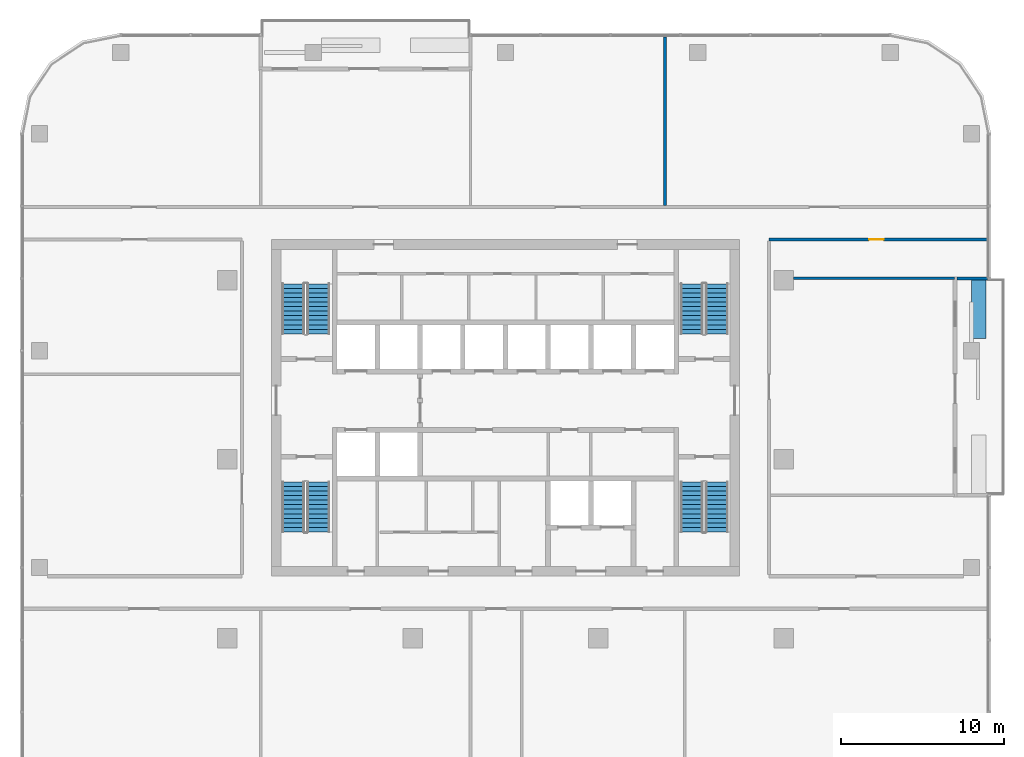
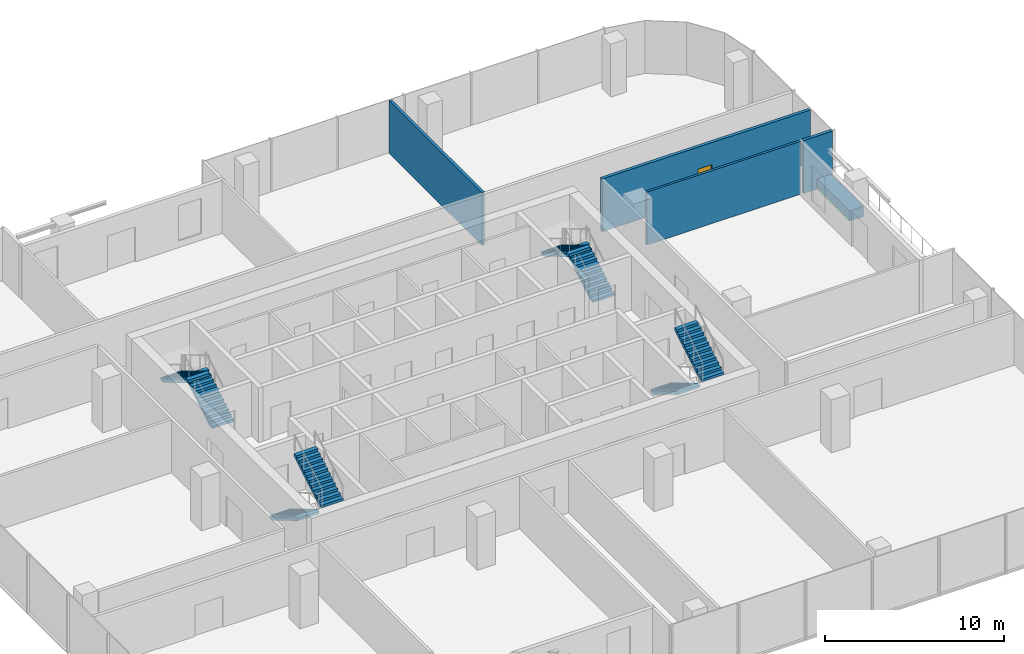
# One storey, part 10 of 13: 8 stair flights, 5 walls, 1 door, 1 opening, 4 elements without a shape of their own.
"""IFC4 building model written with IfcOpenShell, lengths in metres."""

from ifc_helpers import new_model, si_unit, direction, frame, frame_2d, origin, place, context, subcontext, project, spatial, polyline, rectangle, outline, extrude, material, layer, layer_set, type_object, element, fill, aggregate, save


model = new_model("IFC4")

# Units and contexts
model_context = context("Model", 3, precision=1e-05, world=origin(), true_north=direction((0.0, 1.0)))
body_context = subcontext(model_context, "Body", "Model", "MODEL_VIEW")
ifc_project = project(units=[si_unit("LENGTHUNIT", "METRE"), si_unit("AREAUNIT", "SQUARE_METRE"), si_unit("VOLUMEUNIT", "CUBIC_METRE"), si_unit("PLANEANGLEUNIT", "RADIAN"), si_unit("MASSUNIT", "GRAM", prefix="KILO")], contexts=[model_context])

# Site, building, storey
site_placement = place(None, origin())
site = spatial("IfcSite", under=ifc_project, at=site_placement, CompositionType="ELEMENT")
building_placement = place(site_placement, origin())
building = spatial("IfcBuilding", under=site, at=building_placement, Name="Mopane Tessera Tower", CompositionType="ELEMENT")
storey_placement = place(building_placement, frame((0.0, 0.0, 299.39990234375)))
storey = spatial("IfcBuildingStorey", under=building, at=storey_placement, Name="L65", CompositionType="ELEMENT", Elevation=299.39990234375)

# Wall
ifc_material_1 = material(Name="Gypsum board on staggered steel studs, double layer each face, acoustic mineral wool infill", Category="steel")
ifc_layer_1 = layer(ifc_material_1, 0.175048828125)
ifc_layer_set_1 = layer_set([ifc_layer_1], Name="Gypsum board on staggered steel studs, double layer each face, acoustic mineral wool infill")
wall_type_1 = type_object("IfcWallType", Name="Gypsum board acoustic partition 175, rated EI 60", PredefinedType="PARTITIONING", material=ifc_layer_set_1)
wall_1_placement = place(storey_placement, frame((9.800048828125, 15.60009765625, 0.0), z_axis=(0.0, 0.0, 1.0), x_axis=(0.0, 1.0, 0.0)))
element("IfcWall", 1, at=wall_1_placement, inside=storey, type_object=wall_type_1, Name="Partition L65:015", PredefinedType="PARTITIONING", context=body_context, shape_type="SweptSolid", body=[
    extrude(rectangle(XDim=10.349853515625, YDim=0.175048828125, at=frame_2d((5.1748046875, 0.0))), origin(), (0.0, 0.0, 1.0), 3.60009765625),
])

# Wall, opening, door
ifc_material_2 = material(Name="Gypsum board on steel studs, two layers each face, mineral wool infill", Category="steel")
ifc_layer_2 = layer(ifc_material_2, 0.199951171875)
ifc_layer_set_2 = layer_set([ifc_layer_2], Name="Gypsum board on steel studs, two layers each face, mineral wool infill")
wall_type_2 = type_object("IfcWallType", Name="Gypsum board corridor wall 200, rated EI 60", PredefinedType="PARTITIONING", material=ifc_layer_set_2)
wall_2_placement = place(storey_placement, frame((16.199951171875, 13.5, 0.0), z_axis=(0.0, 0.0, 1.0), x_axis=(1.0, 0.0, 0.0)))
wall_2 = element("IfcWall", 2, at=wall_2_placement, inside=storey, type_object=wall_type_2, Name="Partition L65:007", PredefinedType="PARTITIONING", context=body_context, shape_type="SweptSolid", body=[
    extrude(rectangle(XDim=13.400146484375, YDim=0.199951171875, at=frame_2d((6.7001953125, 0.0))), origin(), (0.0, 0.0, 1.0), 3.60009765625),
])
opening_placement = place(wall_2_placement, frame((6.14990234375, 0.0, 0.0)))
opening = element("IfcOpeningElement", 3, at=opening_placement, cuts=wall_2, Name="Opening L65-03", PredefinedType="OPENING", context=body_context, shape_type="SweptSolid", body=[
    extrude(rectangle(XDim=0.89990234375, YDim=2.10009765625, at=frame_2d((0.449951171875, 1.050048828125))), frame((0.0, 0.112060546875, 0.0), z_axis=(0.0, -1.0, 0.0), x_axis=(1.0, 0.0, 0.0)), (0.0, 0.0, 1.0), 0.223876953125),
])
ifc_material_3 = material(Name="Timber veneered steel-framed fire door", Category="steel")
door_type = type_object("IfcDoorType", Name="Fire door FD60 900 x 2100", OperationType="SINGLE_SWING_LEFT", PredefinedType="DOOR", material=ifc_material_3)
door_placement = place(opening_placement, origin())
door = element("IfcDoor", 4, at=door_placement, inside=storey, type_object=door_type, Name="Door L65-03", ObjectType="D10A", OperationType="SINGLE_SWING_LEFT", OverallHeight=2.10009765625, OverallWidth=0.89990234375, PredefinedType="DOOR", context=body_context, shape_type="SweptSolid", body=[
    extrude(rectangle(XDim=0.89990234375, YDim=2.10009765625, at=frame_2d((0.449951171875, 1.050048828125))), frame((0.0, 0.02490234375, 0.0), z_axis=(0.0, -1.0, 0.0), x_axis=(1.0, 0.0, 0.0)), (0.0, 0.0, 1.0), 0.050048828125),
])
fill(opening, door)

# Walls
ifc_material_4 = material(Name="Gypsum board on steel studs, mineral wool infill", Category="steel")
ifc_layer_3 = layer(ifc_material_4, 0.14990234375)
ifc_layer_set_3 = layer_set([ifc_layer_3], Name="Gypsum board on steel studs, mineral wool infill")
wall_type_3 = type_object("IfcWallType", Name="Gypsum board partition 150, rated EI 60", PredefinedType="PARTITIONING", material=ifc_layer_set_3)
wall_3_placement = place(storey_placement, frame((17.699951171875, 11.110107421875, 0.0), z_axis=(0.0, 0.0, 1.0), x_axis=(1.0, 0.0, 0.0)))
element("IfcWall", 5, at=wall_3_placement, inside=storey, type_object=wall_type_3, Name="Partition L65:005", PredefinedType="PARTITIONING", context=body_context, shape_type="SweptSolid", body=[
    extrude(rectangle(XDim=9.900146484375, YDim=0.14990234375, at=frame_2d((4.9501953125, 0.0))), origin(), (0.0, 0.0, 1.0), 3.60009765625),
])
ifc_material_5 = material(Name="Reinforced concrete C32/40 with waterproofing", Category="concrete")
ifc_layer_4 = layer(ifc_material_5, 0.89990234375)
ifc_layer_set_4 = layer_set([ifc_layer_4], Name="Reinforced concrete C32/40 with waterproofing")
wall_type_4 = type_object("IfcWallType", Name="Planter trough 3600 x 900", PredefinedType="STANDARD", material=ifc_layer_set_4)
wall_4_placement = place(storey_placement, frame((29.10009765625, 7.4111328125, 0.0), z_axis=(0.0, 0.0, 1.0), x_axis=(0.0, 1.0, 0.0)))
element("IfcWall", 6, at=wall_4_placement, inside=storey, type_object=wall_type_4, Name="e:nw:L65:N1:pl1", PredefinedType="STANDARD", context=body_context, shape_type="SweptSolid", body=[
    extrude(rectangle(XDim=3.60009765625, YDim=0.89990234375, at=frame_2d((1.800048828125, 0.0))), origin(), (0.0, 0.0, 1.0), 0.7001953125),
])
ifc_material_6 = material(Name="Blockwork with glazed tile facing", Category="masonry")
ifc_layer_5 = layer(ifc_material_6, 0.199951171875)
ifc_layer_set_5 = layer_set([ifc_layer_5], Name="Blockwork with glazed tile facing")
wall_type_5 = type_object("IfcWallType", Name="Terrace cheek wall 200", PredefinedType="STANDARD", material=ifc_layer_set_5)
wall_5_placement = place(storey_placement, frame((29.64990234375, 11.111083984375, 0.0), z_axis=(0.0, 0.0, 1.0), x_axis=(-1.0, 0.0, 0.0)))
element("IfcWall", 7, at=wall_5_placement, inside=storey, type_object=wall_type_5, Name="e:nw:L65:N1:cheekb", PredefinedType="STANDARD", context=body_context, shape_type="SweptSolid", body=[
    extrude(rectangle(XDim=1.875, YDim=0.199951171875, at=frame_2d((0.9375, 0.0))), origin(), (0.0, 0.0, 1.0), 3.60009765625),
])

# Stair, stair flights
ifc_material_7 = material(Name="Concrete C50/60", Category="concrete")
stair_type = type_object("IfcStairType", Name="Escape stair 1400 mm, riser 167 mm", PredefinedType="HALF_TURN_STAIR", material=ifc_material_7)
stair_1_placement = place(storey_placement, origin())
stair_1 = element("IfcStair", 8, at=stair_1_placement, inside=storey, type_object=stair_type, Name="L65 Escape stair south-west", PredefinedType="HALF_TURN_STAIR")
ifc_material_8 = material(Name="Concrete C50/60", Category="concrete")
stair_flight_type = type_object("IfcStairFlightType", Name="Escape stair flight 1400 mm", PredefinedType="STRAIGHT", material=ifc_material_8)
stair_flight_1_placement = place(storey_placement, frame((-13.050048828125, -1.39990234375, 0.0), z_axis=(0.0, 0.0, 1.0), x_axis=(0.0, -1.0, 0.0)))
stair_flight_1 = element("IfcStairFlight", 9, at=stair_flight_1_placement, type_object=stair_flight_type, Name="ST1 flight 1", NumberOfRisers=12, NumberOfTreads=11, PredefinedType="STRAIGHT", RiserHeight=0.166666667, TreadLength=0.28, context=body_context, shape_type="SweptSolid", body=[
    extrude(outline(polyline([(0.0, 0.0), (0.0, 0.166748046875), (0.280029296875, 0.166748046875), (0.280029296875, 0.333251953125), (0.56005859375, 0.333251953125), (0.56005859375, 0.5), (0.840087890625, 0.5), (0.840087890625, 0.666748046875), (1.1201171875, 0.666748046875), (1.1201171875, 0.833251953125), (1.39990234375, 0.833251953125), (1.39990234375, 1.0), (1.679931640625, 1.0), (1.679931640625, 1.166748046875), (1.9599609375, 1.166748046875), (1.9599609375, 1.333251953125), (2.239990234375, 1.333251953125), (2.239990234375, 1.5), (2.52001953125, 1.5), (2.52001953125, 1.666748046875), (2.800048828125, 1.666748046875), (2.800048828125, 1.833251953125), (3.080078125, 1.833251953125), (3.080078125, 2.0), (3.080078125, 1.658935546875), (0.29296875, 0.0), (0.0, 0.0)])), frame((0.0, 0.699951171875, 0.0), z_axis=(0.0, -1.0, 0.0), x_axis=(1.0, 0.0, 0.0)), (0.0, 0.0, 1.0), 1.39990234375),
])
stair_flight_2_placement = place(storey_placement, frame((-11.5, -4.47998046875, 2.0), z_axis=(0.0, 0.0, 1.0), x_axis=(0.0, 1.0, 0.0)))
stair_flight_2 = element("IfcStairFlight", 10, at=stair_flight_2_placement, type_object=stair_flight_type, Name="ST1 flight 2", NumberOfRisers=12, NumberOfTreads=11, PredefinedType="STRAIGHT", RiserHeight=0.166666667, TreadLength=0.28, context=body_context, shape_type="SweptSolid", body=[
    extrude(outline(polyline([(0.0, 0.0), (0.0, 0.166748046875), (0.280029296875, 0.166748046875), (0.280029296875, 0.333251953125), (0.56005859375, 0.333251953125), (0.56005859375, 0.5), (0.840087890625, 0.5), (0.840087890625, 0.666748046875), (1.1201171875, 0.666748046875), (1.1201171875, 0.833251953125), (1.39990234375, 0.833251953125), (1.39990234375, 1.0), (1.679931640625, 1.0), (1.679931640625, 1.166748046875), (1.9599609375, 1.166748046875), (1.9599609375, 1.333251953125), (2.239990234375, 1.333251953125), (2.239990234375, 1.5), (2.52001953125, 1.5), (2.52001953125, 1.666748046875), (2.800048828125, 1.666748046875), (2.800048828125, 1.833251953125), (3.080078125, 1.833251953125), (3.080078125, 2.0), (3.080078125, 1.658935546875), (0.29296875, 0.0), (0.0, 0.0)])), frame((0.0, 0.699951171875, 0.0), z_axis=(0.0, -1.0, 0.0), x_axis=(1.0, 0.0, 0.0)), (0.0, 0.0, 1.0), 1.39990234375),
])
aggregate(stair_1, [stair_flight_1, stair_flight_2])

stair_2_placement = place(storey_placement, origin())
stair_2 = element("IfcStair", 11, at=stair_2_placement, inside=storey, type_object=stair_type, Name="L65 Escape stair north-west", PredefinedType="HALF_TURN_STAIR")
stair_flight_3_placement = place(storey_placement, frame((-11.5, 7.699951171875, 0.0), z_axis=(0.0, 0.0, 1.0), x_axis=(0.0, 1.0, 0.0)))
stair_flight_3 = element("IfcStairFlight", 12, at=stair_flight_3_placement, type_object=stair_flight_type, Name="ST2 flight 1", NumberOfRisers=12, NumberOfTreads=11, PredefinedType="STRAIGHT", RiserHeight=0.166666667, TreadLength=0.28, context=body_context, shape_type="SweptSolid", body=[
    extrude(outline(polyline([(0.0, 0.0), (0.0, 0.166748046875), (0.280029296875, 0.166748046875), (0.280029296875, 0.333251953125), (0.56005859375, 0.333251953125), (0.56005859375, 0.5), (0.840087890625, 0.5), (0.840087890625, 0.666748046875), (1.1201171875, 0.666748046875), (1.1201171875, 0.833251953125), (1.39990234375, 0.833251953125), (1.39990234375, 1.0), (1.679931640625, 1.0), (1.679931640625, 1.166748046875), (1.9599609375, 1.166748046875), (1.9599609375, 1.333251953125), (2.239990234375, 1.333251953125), (2.239990234375, 1.5), (2.52001953125, 1.5), (2.52001953125, 1.666748046875), (2.800048828125, 1.666748046875), (2.800048828125, 1.833251953125), (3.080078125, 1.833251953125), (3.080078125, 2.0), (3.080078125, 1.658935546875), (0.29296875, 0.0), (0.0, 0.0)])), frame((0.0, 0.699951171875, 0.0), z_axis=(0.0, -1.0, 0.0), x_axis=(1.0, 0.0, 0.0)), (0.0, 0.0, 1.0), 1.39990234375),
])
stair_flight_4_placement = place(storey_placement, frame((-13.050048828125, 10.780029296875, 2.0), z_axis=(0.0, 0.0, 1.0), x_axis=(0.0, -1.0, 0.0)))
stair_flight_4 = element("IfcStairFlight", 13, at=stair_flight_4_placement, type_object=stair_flight_type, Name="ST2 flight 2", NumberOfRisers=12, NumberOfTreads=11, PredefinedType="STRAIGHT", RiserHeight=0.166666667, TreadLength=0.28, context=body_context, shape_type="SweptSolid", body=[
    extrude(outline(polyline([(0.0, 0.0), (0.0, 0.166748046875), (0.280029296875, 0.166748046875), (0.280029296875, 0.333251953125), (0.56005859375, 0.333251953125), (0.56005859375, 0.5), (0.840087890625, 0.5), (0.840087890625, 0.666748046875), (1.1201171875, 0.666748046875), (1.1201171875, 0.833251953125), (1.39990234375, 0.833251953125), (1.39990234375, 1.0), (1.679931640625, 1.0), (1.679931640625, 1.166748046875), (1.9599609375, 1.166748046875), (1.9599609375, 1.333251953125), (2.239990234375, 1.333251953125), (2.239990234375, 1.5), (2.52001953125, 1.5), (2.52001953125, 1.666748046875), (2.800048828125, 1.666748046875), (2.800048828125, 1.833251953125), (3.080078125, 1.833251953125), (3.080078125, 2.0), (3.080078125, 1.658935546875), (0.29296875, 0.0), (0.0, 0.0)])), frame((0.0, 0.699951171875, 0.0), z_axis=(0.0, -1.0, 0.0), x_axis=(1.0, 0.0, 0.0)), (0.0, 0.0, 1.0), 1.39990234375),
])
aggregate(stair_2, [stair_flight_3, stair_flight_4])

stair_3_placement = place(storey_placement, origin())
stair_3 = element("IfcStair", 14, at=stair_3_placement, inside=storey, type_object=stair_type, Name="L65 Escape stair south-east", PredefinedType="HALF_TURN_STAIR")
stair_flight_5_placement = place(storey_placement, frame((11.449951171875, -1.39990234375, 0.0), z_axis=(0.0, 0.0, 1.0), x_axis=(0.0, -1.0, 0.0)))
stair_flight_5 = element("IfcStairFlight", 15, at=stair_flight_5_placement, type_object=stair_flight_type, Name="ST3 flight 1", NumberOfRisers=12, NumberOfTreads=11, PredefinedType="STRAIGHT", RiserHeight=0.166666667, TreadLength=0.28, context=body_context, shape_type="SweptSolid", body=[
    extrude(outline(polyline([(0.0, 0.0), (0.0, 0.166748046875), (0.280029296875, 0.166748046875), (0.280029296875, 0.333251953125), (0.56005859375, 0.333251953125), (0.56005859375, 0.5), (0.840087890625, 0.5), (0.840087890625, 0.666748046875), (1.1201171875, 0.666748046875), (1.1201171875, 0.833251953125), (1.39990234375, 0.833251953125), (1.39990234375, 1.0), (1.679931640625, 1.0), (1.679931640625, 1.166748046875), (1.9599609375, 1.166748046875), (1.9599609375, 1.333251953125), (2.239990234375, 1.333251953125), (2.239990234375, 1.5), (2.52001953125, 1.5), (2.52001953125, 1.666748046875), (2.800048828125, 1.666748046875), (2.800048828125, 1.833251953125), (3.080078125, 1.833251953125), (3.080078125, 2.0), (3.080078125, 1.658935546875), (0.29296875, 0.0), (0.0, 0.0)])), frame((0.0, 0.699951171875, 0.0), z_axis=(0.0, -1.0, 0.0), x_axis=(1.0, 0.0, 0.0)), (0.0, 0.0, 1.0), 1.39990234375),
])
stair_flight_6_placement = place(storey_placement, frame((13.0, -4.47998046875, 2.0), z_axis=(0.0, 0.0, 1.0), x_axis=(0.0, 1.0, 0.0)))
stair_flight_6 = element("IfcStairFlight", 16, at=stair_flight_6_placement, type_object=stair_flight_type, Name="ST3 flight 2", NumberOfRisers=12, NumberOfTreads=11, PredefinedType="STRAIGHT", RiserHeight=0.166666667, TreadLength=0.28, context=body_context, shape_type="SweptSolid", body=[
    extrude(outline(polyline([(0.0, 0.0), (0.0, 0.166748046875), (0.280029296875, 0.166748046875), (0.280029296875, 0.333251953125), (0.56005859375, 0.333251953125), (0.56005859375, 0.5), (0.840087890625, 0.5), (0.840087890625, 0.666748046875), (1.1201171875, 0.666748046875), (1.1201171875, 0.833251953125), (1.39990234375, 0.833251953125), (1.39990234375, 1.0), (1.679931640625, 1.0), (1.679931640625, 1.166748046875), (1.9599609375, 1.166748046875), (1.9599609375, 1.333251953125), (2.239990234375, 1.333251953125), (2.239990234375, 1.5), (2.52001953125, 1.5), (2.52001953125, 1.666748046875), (2.800048828125, 1.666748046875), (2.800048828125, 1.833251953125), (3.080078125, 1.833251953125), (3.080078125, 2.0), (3.080078125, 1.658935546875), (0.29296875, 0.0), (0.0, 0.0)])), frame((0.0, 0.699951171875, 0.0), z_axis=(0.0, -1.0, 0.0), x_axis=(1.0, 0.0, 0.0)), (0.0, 0.0, 1.0), 1.39990234375),
])
aggregate(stair_3, [stair_flight_5, stair_flight_6])

stair_4_placement = place(storey_placement, origin())
stair_4 = element("IfcStair", 17, at=stair_4_placement, inside=storey, type_object=stair_type, Name="L65 Escape stair north-east", PredefinedType="HALF_TURN_STAIR")
stair_flight_7_placement = place(storey_placement, frame((13.0, 7.699951171875, 0.0), z_axis=(0.0, 0.0, 1.0), x_axis=(0.0, 1.0, 0.0)))
stair_flight_7 = element("IfcStairFlight", 18, at=stair_flight_7_placement, type_object=stair_flight_type, Name="ST4 flight 1", NumberOfRisers=12, NumberOfTreads=11, PredefinedType="STRAIGHT", RiserHeight=0.166666667, TreadLength=0.28, context=body_context, shape_type="SweptSolid", body=[
    extrude(outline(polyline([(0.0, 0.0), (0.0, 0.166748046875), (0.280029296875, 0.166748046875), (0.280029296875, 0.333251953125), (0.56005859375, 0.333251953125), (0.56005859375, 0.5), (0.840087890625, 0.5), (0.840087890625, 0.666748046875), (1.1201171875, 0.666748046875), (1.1201171875, 0.833251953125), (1.39990234375, 0.833251953125), (1.39990234375, 1.0), (1.679931640625, 1.0), (1.679931640625, 1.166748046875), (1.9599609375, 1.166748046875), (1.9599609375, 1.333251953125), (2.239990234375, 1.333251953125), (2.239990234375, 1.5), (2.52001953125, 1.5), (2.52001953125, 1.666748046875), (2.800048828125, 1.666748046875), (2.800048828125, 1.833251953125), (3.080078125, 1.833251953125), (3.080078125, 2.0), (3.080078125, 1.658935546875), (0.29296875, 0.0), (0.0, 0.0)])), frame((0.0, 0.699951171875, 0.0), z_axis=(0.0, -1.0, 0.0), x_axis=(1.0, 0.0, 0.0)), (0.0, 0.0, 1.0), 1.39990234375),
])
stair_flight_8_placement = place(storey_placement, frame((11.449951171875, 10.780029296875, 2.0), z_axis=(0.0, 0.0, 1.0), x_axis=(0.0, -1.0, 0.0)))
stair_flight_8 = element("IfcStairFlight", 19, at=stair_flight_8_placement, type_object=stair_flight_type, Name="ST4 flight 2", NumberOfRisers=12, NumberOfTreads=11, PredefinedType="STRAIGHT", RiserHeight=0.166666667, TreadLength=0.28, context=body_context, shape_type="SweptSolid", body=[
    extrude(outline(polyline([(0.0, 0.0), (0.0, 0.166748046875), (0.280029296875, 0.166748046875), (0.280029296875, 0.333251953125), (0.56005859375, 0.333251953125), (0.56005859375, 0.5), (0.840087890625, 0.5), (0.840087890625, 0.666748046875), (1.1201171875, 0.666748046875), (1.1201171875, 0.833251953125), (1.39990234375, 0.833251953125), (1.39990234375, 1.0), (1.679931640625, 1.0), (1.679931640625, 1.166748046875), (1.9599609375, 1.166748046875), (1.9599609375, 1.333251953125), (2.239990234375, 1.333251953125), (2.239990234375, 1.5), (2.52001953125, 1.5), (2.52001953125, 1.666748046875), (2.800048828125, 1.666748046875), (2.800048828125, 1.833251953125), (3.080078125, 1.833251953125), (3.080078125, 2.0), (3.080078125, 1.658935546875), (0.29296875, 0.0), (0.0, 0.0)])), frame((0.0, 0.699951171875, 0.0), z_axis=(0.0, -1.0, 0.0), x_axis=(1.0, 0.0, 0.0)), (0.0, 0.0, 1.0), 1.39990234375),
])
aggregate(stair_4, [stair_flight_7, stair_flight_8])

save(model, "model.ifc")
